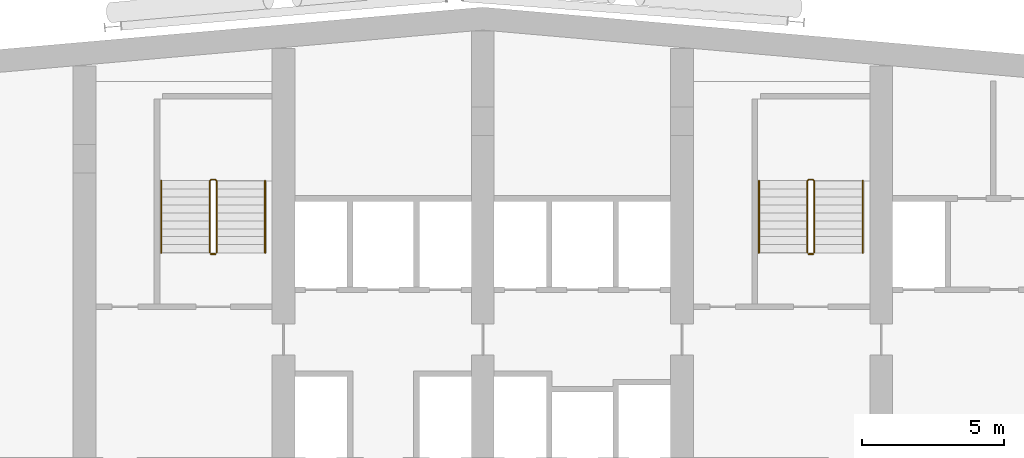
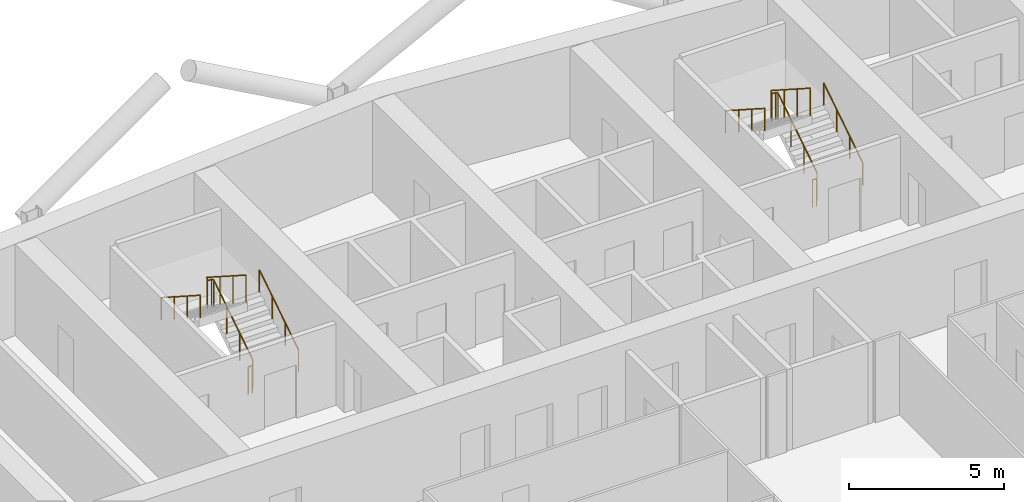
# One storey, part 26 of 26: 8 railings.
"""IFC4 building model written with IfcOpenShell, lengths in metres."""

from ifc_helpers import new_model, si_unit, direction, frame, origin, origin_2d, place, context, subcontext, project, spatial, circle, extrude, material, type_object, element, save


model = new_model("IFC4")

# Units and contexts
model_context = context("Model", 3, precision=1e-05, world=origin(), true_north=direction((0.0, 1.0)))
body_context = subcontext(model_context, "Body", "Model", "MODEL_VIEW")
ifc_project = project(units=[si_unit("LENGTHUNIT", "METRE"), si_unit("AREAUNIT", "SQUARE_METRE"), si_unit("VOLUMEUNIT", "CUBIC_METRE"), si_unit("PLANEANGLEUNIT", "RADIAN"), si_unit("MASSUNIT", "GRAM", prefix="KILO")], contexts=[model_context])

# Site, building, storey
site_placement = place(None, origin())
site = spatial("IfcSite", under=ifc_project, at=site_placement, CompositionType="ELEMENT")
building_placement = place(site_placement, origin())
building = spatial("IfcBuilding", under=site, at=building_placement, Name="Wharfspan Tower", CompositionType="ELEMENT")
storey_placement = place(building_placement, frame((0.0, 0.0, 169.899902)))
storey = spatial("IfcBuildingStorey", under=building, at=storey_placement, Name="L41", CompositionType="ELEMENT", Elevation=169.899902)

# Railings
ifc_material = material(Name="Steel S355J2", Category="steel")
railing_type_1 = type_object("IfcRailingType", Name="Stair guard 1100", PredefinedType="GUARDRAIL", material=ifc_material)
railing_1_placement = place(storey_placement, frame((27.649902, 42.0, 0.180176)))
element("IfcRailing", 1, at=railing_1_placement, inside=storey, type_object=railing_type_1, Name="L41 ST1 stair guard 1", PredefinedType="GUARDRAIL", context=body_context, shape_type="SweptSolid", body=[
    extrude(circle(Radius=0.023926, at=origin_2d()), frame((0.0, 0.0, 1.076172), z_axis=(0.0, 0.8412, 0.540725), x_axis=(-1.0, 0.0, 0.0)), (0.0, 0.0, 1.0), 2.99585),
    extrude(circle(Radius=0.023926, at=origin_2d()), frame((0.0, 2.52002, 2.695801), z_axis=(-0.705376, 0.708834, 0.0), x_axis=(-0.708834, -0.705376, 0.0)), (0.0, 0.0, 1.0), 0.070557),
    extrude(circle(Radius=0.023926, at=origin_2d()), frame((-0.049805, 2.570068, 2.695801), z_axis=(-1.0, 0.0, 0.0), x_axis=(0.0, -1.0, 0.0)), (0.0, 0.0, 1.0), 0.150146),
    extrude(circle(Radius=0.023926, at=origin_2d()), frame((-0.199951, 2.570068, 2.695801), z_axis=(-0.258848, -0.258848, 0.930589), x_axis=(0.707107, -0.707107, 0.0)), (0.0, 0.0, 1.0), 0.193359),
    extrude(circle(Radius=0.023926, at=origin_2d()), frame((-0.25, 2.52002, 2.875977), z_axis=(0.0, -0.841163, 0.540782), x_axis=(1.0, 0.0, 0.0)), (0.0, 0.0, 1.0), 2.99585),
    extrude(circle(Radius=0.020996, at=origin_2d()), origin(), (0.0, 0.0, 1.0), 1.052002),
    extrude(circle(Radius=0.020996, at=origin_2d()), frame((0.0, 0.840088, 0.540039)), (0.0, 0.0, 1.0), 1.052002),
    extrude(circle(Radius=0.020996, at=origin_2d()), frame((0.0, 1.679932, 1.079834)), (0.0, 0.0, 1.0), 1.052002),
    extrude(circle(Radius=0.020996, at=origin_2d()), frame((0.0, 2.52002, 1.619873)), (0.0, 0.0, 1.0), 1.052002),
    extrude(circle(Radius=0.020996, at=origin_2d()), frame((-0.049805, 2.570068, 1.619873)), (0.0, 0.0, 1.0), 1.052002),
    extrude(circle(Radius=0.020996, at=origin_2d()), frame((-0.199951, 2.570068, 1.619873)), (0.0, 0.0, 1.0), 1.052002),
    extrude(circle(Radius=0.020996, at=origin_2d()), frame((-0.25, 2.52002, 1.799805)), (0.0, 0.0, 1.0), 1.052002),
    extrude(circle(Radius=0.020996, at=origin_2d()), frame((-0.25, 1.679932, 2.339844)), (0.0, 0.0, 1.0), 1.052002),
    extrude(circle(Radius=0.020996, at=origin_2d()), frame((-0.25, 0.840088, 2.879883)), (0.0, 0.0, 1.0), 1.052002),
    extrude(circle(Radius=0.020996, at=origin_2d()), frame((-0.25, 0.0, 3.419922)), (0.0, 0.0, 1.0), 1.052002),
])
railing_2_placement = place(storey_placement, frame((27.600098, 41.949951, 0.0)))
element("IfcRailing", 2, at=railing_2_placement, inside=storey, type_object=railing_type_1, Name="L41 ST1 stair guard 2", PredefinedType="GUARDRAIL", context=body_context, shape_type="SweptSolid", body=[
    extrude(circle(Radius=0.023926, at=origin_2d()), frame((0.0, 0.0, 1.076172), z_axis=(-1.0, 0.0, 0.0), x_axis=(0.0, -1.0, 0.0)), (0.0, 0.0, 1.0), 0.150146),
    extrude(circle(Radius=0.020996, at=origin_2d()), origin(), (0.0, 0.0, 1.0), 1.052002),
    extrude(circle(Radius=0.020996, at=origin_2d()), frame((-0.150146, 0.0, 0.0)), (0.0, 0.0, 1.0), 1.052002),
])
railing_3_placement = place(storey_placement, frame((48.649902, 42.0, 0.180176)))
element("IfcRailing", 3, at=railing_3_placement, inside=storey, type_object=railing_type_1, Name="L41 ST2 stair guard 1", PredefinedType="GUARDRAIL", context=body_context, shape_type="SweptSolid", body=[
    extrude(circle(Radius=0.023926, at=origin_2d()), frame((0.0, 0.0, 1.076172), z_axis=(0.0, 0.8412, 0.540725), x_axis=(-1.0, 0.0, 0.0)), (0.0, 0.0, 1.0), 2.99585),
    extrude(circle(Radius=0.023926, at=origin_2d()), frame((0.0, 2.52002, 2.695801), z_axis=(-0.705376, 0.708834, 0.0), x_axis=(-0.708834, -0.705376, 0.0)), (0.0, 0.0, 1.0), 0.070557),
    extrude(circle(Radius=0.023926, at=origin_2d()), frame((-0.049805, 2.570068, 2.695801), z_axis=(-1.0, 0.0, 0.0), x_axis=(0.0, -1.0, 0.0)), (0.0, 0.0, 1.0), 0.150146),
    extrude(circle(Radius=0.023926, at=origin_2d()), frame((-0.199951, 2.570068, 2.695801), z_axis=(-0.258848, -0.258848, 0.930589), x_axis=(0.707107, -0.707107, 0.0)), (0.0, 0.0, 1.0), 0.193359),
    extrude(circle(Radius=0.023926, at=origin_2d()), frame((-0.25, 2.52002, 2.875977), z_axis=(0.0, -0.841163, 0.540782), x_axis=(1.0, 0.0, 0.0)), (0.0, 0.0, 1.0), 2.99585),
    extrude(circle(Radius=0.020996, at=origin_2d()), origin(), (0.0, 0.0, 1.0), 1.052002),
    extrude(circle(Radius=0.020996, at=origin_2d()), frame((0.0, 0.840088, 0.540039)), (0.0, 0.0, 1.0), 1.052002),
    extrude(circle(Radius=0.020996, at=origin_2d()), frame((0.0, 1.679932, 1.079834)), (0.0, 0.0, 1.0), 1.052002),
    extrude(circle(Radius=0.020996, at=origin_2d()), frame((0.0, 2.52002, 1.619873)), (0.0, 0.0, 1.0), 1.052002),
    extrude(circle(Radius=0.020996, at=origin_2d()), frame((-0.049805, 2.570068, 1.619873)), (0.0, 0.0, 1.0), 1.052002),
    extrude(circle(Radius=0.020996, at=origin_2d()), frame((-0.199951, 2.570068, 1.619873)), (0.0, 0.0, 1.0), 1.052002),
    extrude(circle(Radius=0.020996, at=origin_2d()), frame((-0.25, 2.52002, 1.799805)), (0.0, 0.0, 1.0), 1.052002),
    extrude(circle(Radius=0.020996, at=origin_2d()), frame((-0.25, 1.679932, 2.339844)), (0.0, 0.0, 1.0), 1.052002),
    extrude(circle(Radius=0.020996, at=origin_2d()), frame((-0.25, 0.840088, 2.879883)), (0.0, 0.0, 1.0), 1.052002),
    extrude(circle(Radius=0.020996, at=origin_2d()), frame((-0.25, 0.0, 3.419922)), (0.0, 0.0, 1.0), 1.052002),
])
railing_4_placement = place(storey_placement, frame((48.600098, 41.949951, 0.0)))
element("IfcRailing", 4, at=railing_4_placement, inside=storey, type_object=railing_type_1, Name="L41 ST2 stair guard 2", PredefinedType="GUARDRAIL", context=body_context, shape_type="SweptSolid", body=[
    extrude(circle(Radius=0.023926, at=origin_2d()), frame((0.0, 0.0, 1.076172), z_axis=(-1.0, 0.0, 0.0), x_axis=(0.0, -1.0, 0.0)), (0.0, 0.0, 1.0), 0.150146),
    extrude(circle(Radius=0.020996, at=origin_2d()), origin(), (0.0, 0.0, 1.0), 1.052002),
    extrude(circle(Radius=0.020996, at=origin_2d()), frame((-0.150146, 0.0, 0.0)), (0.0, 0.0, 1.0), 1.052002),
])
railing_type_2 = type_object("IfcRailingType", Name="Stair handrail 900", PredefinedType="HANDRAIL", material=ifc_material)
railing_5_placement = place(storey_placement, frame((29.350098, 42.0, 0.180176)))
element("IfcRailing", 5, at=railing_5_placement, inside=storey, type_object=railing_type_2, Name="L41 ST1 stair handrail 1", PredefinedType="HANDRAIL", context=body_context, shape_type="SweptSolid", body=[
    extrude(circle(Radius=0.023926, at=origin_2d()), frame((0.0, 0.0, 0.875977), z_axis=(0.0, 0.8412, 0.540725), x_axis=(-1.0, 0.0, 0.0)), (0.0, 0.0, 1.0), 2.99585),
    extrude(circle(Radius=0.020996, at=origin_2d()), origin(), (0.0, 0.0, 1.0), 0.851807),
    extrude(circle(Radius=0.020996, at=origin_2d()), frame((0.0, 0.840088, 0.540039)), (0.0, 0.0, 1.0), 0.851807),
    extrude(circle(Radius=0.020996, at=origin_2d()), frame((0.0, 1.679932, 1.079834)), (0.0, 0.0, 1.0), 0.851807),
    extrude(circle(Radius=0.020996, at=origin_2d()), frame((0.0, 2.52002, 1.619873)), (0.0, 0.0, 1.0), 0.851807),
])
railing_6_placement = place(storey_placement, frame((25.699951, 44.52002, 1.97998)))
element("IfcRailing", 6, at=railing_6_placement, inside=storey, type_object=railing_type_2, Name="L41 ST1 stair handrail 2", PredefinedType="HANDRAIL", context=body_context, shape_type="SweptSolid", body=[
    extrude(circle(Radius=0.023926, at=origin_2d()), frame((0.0, 0.0, 0.875977), z_axis=(0.0, -0.841163, 0.540782), x_axis=(1.0, 0.0, 0.0)), (0.0, 0.0, 1.0), 2.99585),
    extrude(circle(Radius=0.020996, at=origin_2d()), origin(), (0.0, 0.0, 1.0), 0.851807),
    extrude(circle(Radius=0.020996, at=origin_2d()), frame((0.0, -0.840088, 0.540039)), (0.0, 0.0, 1.0), 0.851807),
    extrude(circle(Radius=0.020996, at=origin_2d()), frame((0.0, -1.679932, 1.080078)), (0.0, 0.0, 1.0), 0.851807),
    extrude(circle(Radius=0.020996, at=origin_2d()), frame((0.0, -2.52002, 1.620117)), (0.0, 0.0, 1.0), 0.851807),
])
railing_7_placement = place(storey_placement, frame((50.350098, 42.0, 0.180176)))
element("IfcRailing", 7, at=railing_7_placement, inside=storey, type_object=railing_type_2, Name="L41 ST2 stair handrail 1", PredefinedType="HANDRAIL", context=body_context, shape_type="SweptSolid", body=[
    extrude(circle(Radius=0.023926, at=origin_2d()), frame((0.0, 0.0, 0.875977), z_axis=(0.0, 0.8412, 0.540725), x_axis=(-1.0, 0.0, 0.0)), (0.0, 0.0, 1.0), 2.99585),
    extrude(circle(Radius=0.020996, at=origin_2d()), origin(), (0.0, 0.0, 1.0), 0.851807),
    extrude(circle(Radius=0.020996, at=origin_2d()), frame((0.0, 0.840088, 0.540039)), (0.0, 0.0, 1.0), 0.851807),
    extrude(circle(Radius=0.020996, at=origin_2d()), frame((0.0, 1.679932, 1.079834)), (0.0, 0.0, 1.0), 0.851807),
    extrude(circle(Radius=0.020996, at=origin_2d()), frame((0.0, 2.52002, 1.619873)), (0.0, 0.0, 1.0), 0.851807),
])
railing_8_placement = place(storey_placement, frame((46.699951, 44.52002, 1.97998)))
element("IfcRailing", 8, at=railing_8_placement, inside=storey, type_object=railing_type_2, Name="L41 ST2 stair handrail 2", PredefinedType="HANDRAIL", context=body_context, shape_type="SweptSolid", body=[
    extrude(circle(Radius=0.023926, at=origin_2d()), frame((0.0, 0.0, 0.875977), z_axis=(0.0, -0.841163, 0.540782), x_axis=(1.0, 0.0, 0.0)), (0.0, 0.0, 1.0), 2.99585),
    extrude(circle(Radius=0.020996, at=origin_2d()), origin(), (0.0, 0.0, 1.0), 0.851807),
    extrude(circle(Radius=0.020996, at=origin_2d()), frame((0.0, -0.840088, 0.540039)), (0.0, 0.0, 1.0), 0.851807),
    extrude(circle(Radius=0.020996, at=origin_2d()), frame((0.0, -1.679932, 1.080078)), (0.0, 0.0, 1.0), 0.851807),
    extrude(circle(Radius=0.020996, at=origin_2d()), frame((0.0, -2.52002, 1.620117)), (0.0, 0.0, 1.0), 0.851807),
])

save(model, "model.ifc")
